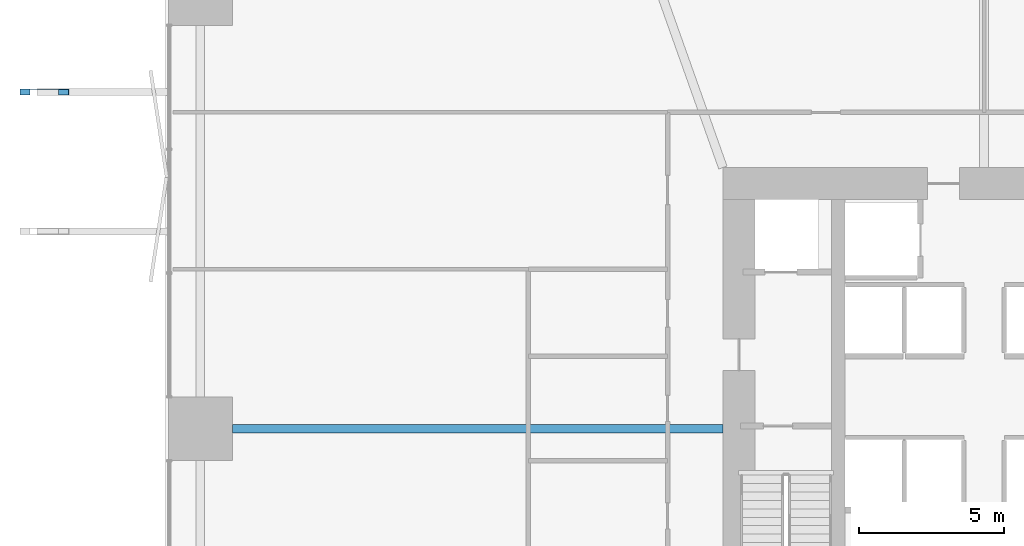
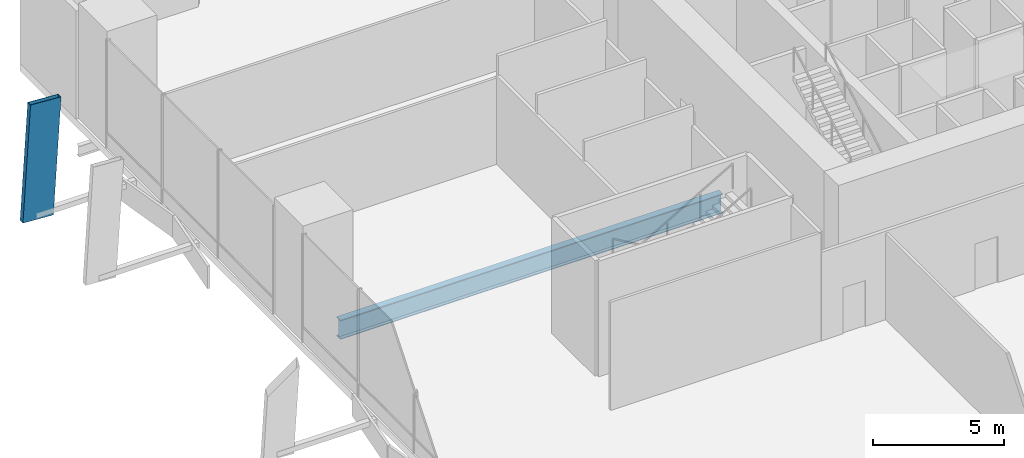
# One storey, part 10 of 24: 1 beam, 1 member.
"""IFC4 building model written with IfcOpenShell, lengths in metres."""

import ifcopenshell
import ifcopenshell.guid

model = None  # the IFC model being written
_history = None  # IfcOwnerHistory: only IFC2X3 demands one
_inside = {}  # id of a spatial element -> (the spatial element, [elements in it])
_under = {}  # id of a project, library or spatial element -> (it, [spatial elements below it])
_declared = {}  # id of a project -> (the project, [libraries it declares])
_typed = {}  # id of a type object -> (the type object, [elements of that type])
_made_of = {}  # id of a material, layer set ... -> (it, [elements and type objects made of it])


def new_model(schema):
    """Start an empty IFC model of exactly this schema.

    Asked for "IFC4X3", IfcOpenShell would pick the latest addendum, in which some entities
    have other attributes; the version numbers below select the first issue.
    IFC2X3 requires an IfcOwnerHistory on every rooted entity: one is made here for all.
    """
    global model, _history
    if schema == "IFC4X3":
        model = ifcopenshell.file(schema_version=(4, 3, 0, 0))
    else:
        model = ifcopenshell.file(schema=schema)
    _inside.clear()
    _under.clear()
    _declared.clear()
    _typed.clear()
    _made_of.clear()
    _history = None
    if model.schema == "IFC2X3":
        org = make("IfcOrganization", Name="unknown")
        user = make(
            "IfcPersonAndOrganization",
            ThePerson=make("IfcPerson", FamilyName="unknown"),
            TheOrganization=org,
        )
        app = make(
            "IfcApplication",
            ApplicationDeveloper=org,
            Version="unknown",
            ApplicationFullName="unknown",
            ApplicationIdentifier="unknown",
        )
        _history = make(
            "IfcOwnerHistory",
            OwningUser=user,
            OwningApplication=app,
            ChangeAction="ADDED",
            CreationDate=0,
        )
    return model


def make(cls, **values):
    """One entity of the class cls with the attributes given. An attribute that is None is left unset."""
    return model.create_entity(
        cls, **{name: value for name, value in values.items() if value is not None}
    )


def rooted(cls, **values):
    """An entity with a GlobalId (a new one), such as an element, a storey or a relation."""
    return make(cls, GlobalId=ifcopenshell.guid.new(), OwnerHistory=_history, **values)


def si_unit(unit_type, name, prefix=None):
    """IfcSIUnit, for example si_unit("LENGTHUNIT", "METRE", prefix="MILLI")."""
    return make("IfcSIUnit", UnitType=unit_type, Prefix=prefix, Name=name)


def assignment(units):
    """IfcUnitAssignment: the units of a project."""
    return None if units is None else make("IfcUnitAssignment", Units=units)


def point(xyz):
    """IfcCartesianPoint."""
    return None if xyz is None else make("IfcCartesianPoint", Coordinates=xyz)


def direction(xyz):
    """IfcDirection."""
    return None if xyz is None else make("IfcDirection", DirectionRatios=xyz)


def frame(location, z_axis=None, x_axis=None):
    """IfcAxis2Placement3D, a coordinate frame: its origin and axes. An axis left out is left unset."""
    return make(
        "IfcAxis2Placement3D",
        Location=point(location),
        Axis=direction(z_axis),
        RefDirection=direction(x_axis),
    )


def frame_2d(location, x_axis=None):
    """IfcAxis2Placement2D, a coordinate frame in the plane: its origin and x axis."""
    return make(
        "IfcAxis2Placement2D", Location=point(location), RefDirection=direction(x_axis)
    )


def origin():
    """The frame at (0, 0, 0) with its axes left unset."""
    return frame((0.0, 0.0, 0.0))


def origin_2d():
    """The frame at (0, 0) in the plane with its x axis left unset."""
    return frame_2d((0.0, 0.0))


def place(relative_to, where):
    """IfcLocalPlacement: puts the frame where relative to a parent placement (None: the world)."""
    return make(
        "IfcLocalPlacement", PlacementRelTo=relative_to, RelativePlacement=where
    )


def context(
    kind, dimensions, precision=None, world=None, true_north=None, identifier=None
):
    """IfcGeometricRepresentationContext, for example the 3D "Model" context."""
    return make(
        "IfcGeometricRepresentationContext",
        ContextIdentifier=identifier,
        ContextType=kind,
        CoordinateSpaceDimension=dimensions,
        Precision=precision,
        WorldCoordinateSystem=world,
        TrueNorth=true_north,
    )


def subcontext(parent, identifier, kind, view, scale=None):
    """IfcGeometricRepresentationSubContext, for example "Body" below "Model"."""
    return make(
        "IfcGeometricRepresentationSubContext",
        ContextIdentifier=identifier,
        ContextType=kind,
        ParentContext=parent,
        TargetScale=scale,
        TargetView=view,
    )


def project(units=None, contexts=None):
    """IfcProject with its units and contexts."""
    return rooted(
        "IfcProject",
        Name="project",
        RepresentationContexts=contexts,
        UnitsInContext=assignment(units),
    )


def spatial(cls, under=None, at=None, **own):
    """A site, building, storey or space (cls), placed at a placement, below another one or the project."""
    s = rooted(cls, ObjectPlacement=at, **own)
    if under is not None:
        _under.setdefault(under.id(), (under, []))[1].append(s)
    return s


def profile(cls, at=None, kind="AREA", **sizes):
    """A parametric profile (cls). Its sizes go by their IFC names, for example OverallWidth=200.0."""
    return make(cls, ProfileType=kind, Position=at, **sizes)


def hollow_rectangle(**sizes):
    """IfcRectangleHollowProfileDef."""
    return profile("IfcRectangleHollowProfileDef", **sizes)


def i_section(**sizes):
    """IfcIShapeProfileDef."""
    return profile("IfcIShapeProfileDef", **sizes)


def extrude(swept, where, along, depth):
    """IfcExtrudedAreaSolid: the profile swept, set in the frame where, extruded along a direction by depth."""
    return make(
        "IfcExtrudedAreaSolid",
        SweptArea=swept,
        Position=where,
        ExtrudedDirection=direction(along),
        Depth=depth,
    )


def shape(context_of_items, identifier, shape_type, items):
    """IfcShapeRepresentation: the items that make up one representation, for example the "Body"."""
    return make(
        "IfcShapeRepresentation",
        ContextOfItems=context_of_items,
        RepresentationIdentifier=identifier,
        RepresentationType=shape_type,
        Items=items,
    )


def material(Name=None, Category=None):
    """IfcMaterial."""
    return make("IfcMaterial", Name=Name, Category=Category)


def material_profile(
    of_material, cross_section, Name=None, Category=None, Priority=None
):
    """IfcMaterialProfile: a cross section and its material."""
    return make(
        "IfcMaterialProfile",
        Name=Name,
        Material=of_material,
        Profile=cross_section,
        Priority=Priority,
        Category=Category,
    )


def profile_set(profiles, Name=None, composite=None):
    """IfcMaterialProfileSet."""
    return make(
        "IfcMaterialProfileSet",
        Name=Name,
        MaterialProfiles=profiles,
        CompositeProfile=composite,
    )


def made_of(thing, what):
    """Note that an element or type object is made of a material, layer set ...; save() writes the relation."""
    if what is not None:
        _made_of.setdefault(what.id(), (what, []))[1].append(thing)
    return thing


def type_object(cls, material=None, **own):
    """A type object (cls), such as IfcWallType, which elements share."""
    return made_of(rooted(cls, **own), material)


def element(
    cls,
    number,
    at=None,
    inside=None,
    cuts=None,
    type_object=None,
    material=None,
    context=None,
    identifier="Body",
    shape_type=None,
    held_by="IfcProductDefinitionShape",
    body=None,
    shapes=None,
    **own,
):
    """One element of the class cls, such as IfcWall. Its Tag is "e" and its number.

    at: its placement. inside: the storey or other place that contains it. cuts: it is an
    opening in that element (IfcRelVoidsElement). A single representation is given by context,
    identifier, shape_type and body (its items); several are given by shapes. held_by: the class
    of the entity that holds the representations. save() writes the other relations.
    """
    e = rooted(cls, Tag="e%d" % number, ObjectPlacement=at, **own)
    if body is not None:
        shapes = [shape(context, identifier, shape_type, body)]
    if shapes is not None:
        e.Representation = make(held_by, Representations=shapes)
    if inside is not None:
        _inside.setdefault(inside.id(), (inside, []))[1].append(e)
    if cuts is not None:
        rooted(
            "IfcRelVoidsElement", RelatingBuildingElement=cuts, RelatedOpeningElement=e
        )
    if type_object is not None:
        _typed.setdefault(type_object.id(), (type_object, []))[1].append(e)
    return made_of(e, material)


def aggregate(whole, parts):
    """IfcRelAggregates: a whole, such as a stair, and the parts it consists of."""
    return rooted("IfcRelAggregates", RelatingObject=whole, RelatedObjects=parts)


def save(model, path):
    """Write the relations noted so far, then the file.

    IfcRelAggregates (storeys below a building ...), IfcRelContainedInSpatialStructure (elements
    in a storey), IfcRelDefinesByType, IfcRelAssociatesMaterial and IfcRelDeclares: one each for
    every whole, place, type object, material and project.
    """
    for whole, parts in _under.values():
        aggregate(whole, parts)
    for where, things in _inside.values():
        rooted(
            "IfcRelContainedInSpatialStructure",
            RelatedElements=things,
            RelatingStructure=where,
        )
    for kind, things in _typed.values():
        rooted("IfcRelDefinesByType", RelatedObjects=things, RelatingType=kind)
    for what, things in _made_of.values():
        rooted("IfcRelAssociatesMaterial", RelatedObjects=things, RelatingMaterial=what)
    for by, libraries in _declared.values():
        rooted("IfcRelDeclares", RelatingContext=by, RelatedDefinitions=libraries)
    model.write(path)


model = new_model("IFC4")

# Units and contexts
model_context = context("Model", 3, precision=1e-05, world=origin(), true_north=direction((0.0, 1.0)))
body_context = subcontext(model_context, "Body", "Model", "MODEL_VIEW")
ifc_project = project(units=[si_unit("LENGTHUNIT", "METRE"), si_unit("AREAUNIT", "SQUARE_METRE"), si_unit("VOLUMEUNIT", "CUBIC_METRE"), si_unit("PLANEANGLEUNIT", "RADIAN"), si_unit("MASSUNIT", "GRAM", prefix="KILO")], contexts=[model_context])

# Site, building, storey
site_placement = place(None, origin())
site = spatial("IfcSite", under=ifc_project, at=site_placement, CompositionType="ELEMENT")
building_placement = place(site_placement, origin())
building = spatial("IfcBuilding", under=site, at=building_placement, Name="Belovzor Exchange Tower", CompositionType="ELEMENT")
storey_placement = place(building_placement, frame((0.0, 0.0, 13.800048828125)))
storey = spatial("IfcBuildingStorey", under=building, at=storey_placement, Name="L03", CompositionType="ELEMENT", Elevation=13.800048828125)

# Member
ifc_material_1 = material(Name="Extruded Architectural Terracotta on Steel S355 Carrier", Category="masonry")
ifc_material_profile_1 = material_profile(ifc_material_1, hollow_rectangle(XDim=0.219970703125, YDim=1.35009765625, WallThickness=0.013916015625, at=origin_2d()))
ifc_profile_set_1 = profile_set([ifc_material_profile_1], Name="Extruded Architectural Terracotta on Steel S355 Carrier")
member_type = type_object("IfcMemberType", Name="Base Arc Sweeping Terracotta Pylon Fin 1450", PredefinedType="USERDEFINED", material=ifc_profile_set_1)
member_placement = place(storey_placement, frame((-3.739990234375, 40.39990234375, -0.35009765625), z_axis=(0.062448514419, 0.0, 0.998048186736), x_axis=(0.0, 1.0, 0.0)))
element("IfcMember", 1, at=member_placement, inside=storey, type_object=member_type, Name="FIN-TC145 Terracotta Facade Fin L03 W4", ObjectType="FIN", PredefinedType="USERDEFINED", context=body_context, shape_type="SweptSolid", body=[
    extrude(hollow_rectangle(XDim=0.219970703125, YDim=1.35009765625, WallThickness=0.013916015625, at=origin_2d()), origin(), (0.0, 0.0, 1.0), 5.41064453125),
])

# Beam
ifc_material_2 = material(Name="Steel S460", Category="steel")
ifc_material_profile_2 = material_profile(ifc_material_2, i_section(OverallWidth=0.300048828125, OverallDepth=0.89990234375, WebThickness=0.0185546875, FlangeThickness=0.034912109375, at=origin_2d()))
ifc_profile_set_2 = profile_set([ifc_material_profile_2], Name="Steel S460")
beam_type = type_object("IfcBeamType", Name="Podium Radial Clear-Span Girder HEB 900", PredefinedType="BEAM", material=ifc_profile_set_2)
beam_placement = place(storey_placement, frame((19.800048828125, 28.800048828125, -0.800048828125), z_axis=(-1.0, 0.0, 0.0), x_axis=(0.0, -1.0, 0.0)))
element("IfcBeam", 2, at=beam_placement, inside=storey, type_object=beam_type, Name="PG-2 Podium Radial Clear-Span Girder HEB 900", PredefinedType="BEAM", context=body_context, shape_type="SweptSolid", body=[
    extrude(i_section(OverallWidth=0.300048828125, OverallDepth=0.89990234375, WebThickness=0.0185546875, FlangeThickness=0.034912109375, at=origin_2d()), origin(), (0.0, 0.0, 1.0), 16.900146484375),
])

save(model, "model.ifc")
